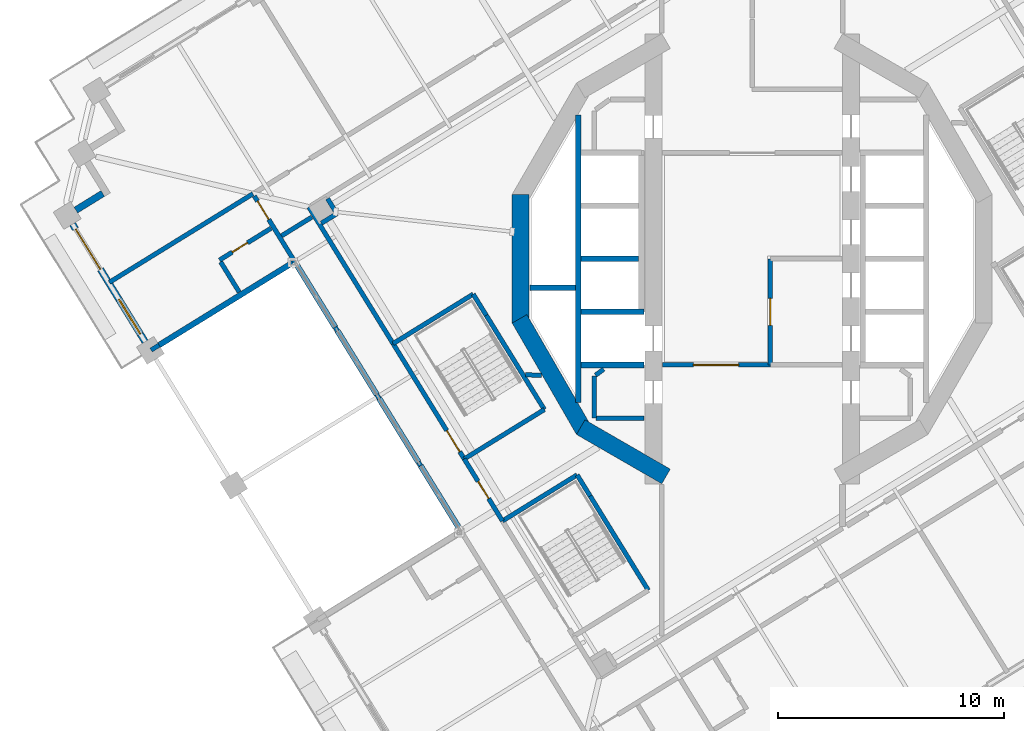
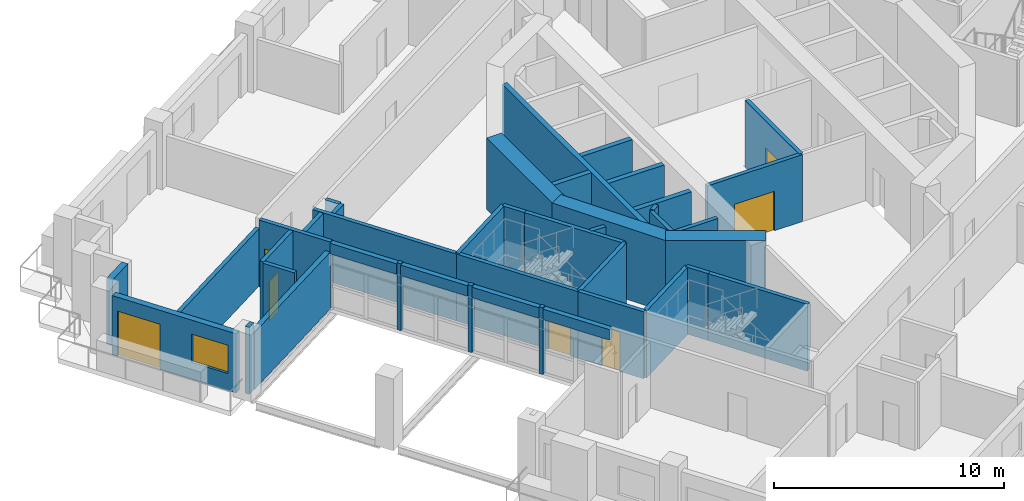
# One storey, part 6 of 20: 42 walls, 7 doors, 1 window, 8 openings.
"""IFC4 building model written with IfcOpenShell, lengths in metres."""

from ifc_helpers import new_model, si_unit, direction, frame, frame_2d, origin, place, context, subcontext, project, spatial, rectangle, extrude, material, layer, layer_set, type_object, element, fill, save


model = new_model("IFC4")

# Units and contexts
model_context = context("Model", 3, precision=1e-05, world=origin(), true_north=direction((0.0, 1.0)))
body_context = subcontext(model_context, "Body", "Model", "MODEL_VIEW")
ifc_project = project(units=[si_unit("LENGTHUNIT", "METRE"), si_unit("AREAUNIT", "SQUARE_METRE"), si_unit("VOLUMEUNIT", "CUBIC_METRE"), si_unit("PLANEANGLEUNIT", "RADIAN"), si_unit("MASSUNIT", "GRAM", prefix="KILO")], contexts=[model_context])

# Site, building, storey
site_placement = place(None, origin())
site = spatial("IfcSite", under=ifc_project, at=site_placement, CompositionType="ELEMENT")
building_placement = place(site_placement, origin())
building = spatial("IfcBuilding", under=site, at=building_placement, Name="Cantera Rosa Tower", CompositionType="ELEMENT")
storey_placement = place(building_placement, frame((0.0, 0.0, 155.199951171875)))
storey = spatial("IfcBuildingStorey", under=building, at=storey_placement, Name="L33", CompositionType="ELEMENT", Elevation=155.199951171875)

# Wall, opening, door
ifc_material_1 = material(Name="Gypsum board partition")
ifc_layer_1 = layer(ifc_material_1, 0.199951171875)
ifc_layer_set_1 = layer_set([ifc_layer_1], Name="CORRIDOR WALL 200 H3550")
wall_type_1 = type_object("IfcWallType", Name="CORRIDOR WALL 200 H3550", PredefinedType="PARTITIONING", material=ifc_layer_set_1)
wall_1_placement = place(storey_placement, frame((-22.037109375, 2.77392578125, 0.0), z_axis=(0.0, 0.0, 1.0), x_axis=(0.524928009261, -0.851146629608, 0.0)))
wall_1 = element("IfcWall", 1, at=wall_1_placement, inside=storey, type_object=wall_type_1, Name="CORRIDOR WALL L33-004", PredefinedType="PARTITIONING", context=body_context, shape_type="SweptSolid", body=[
    extrude(rectangle(XDim=3.52490234375, YDim=0.199951171875, at=frame_2d((1.762451171875, 0.0))), origin(), (0.0, 0.0, 1.0), 3.550048828125),
])
opening_1_placement = place(wall_1_placement, frame((0.264892578125, 0.0, 0.0)))
opening_1 = element("IfcOpeningElement", 2, at=opening_1_placement, cuts=wall_1, Name="Opening L33-030", PredefinedType="OPENING", context=body_context, shape_type="SweptSolid", body=[
    extrude(rectangle(XDim=0.949951171875, YDim=2.10009765625, at=frame_2d((0.47509765625, 1.050048828125))), frame((0.0, 0.10986328125, 0.0), z_axis=(0.0, -1.0, 0.0), x_axis=(1.0, 0.0, 0.0)), (0.0, 0.0, 1.0), 0.219970703125),
])
ifc_material_2 = material(Name="Timber door leaf", Category="wood")
door_type_1 = type_object("IfcDoorType", Name="ROOM DOOR 950x2100", OperationType="NOTDEFINED", PredefinedType="DOOR", material=ifc_material_2)
door_1_placement = place(opening_1_placement, origin())
door_1 = element("IfcDoor", 3, at=door_1_placement, inside=storey, type_object=door_type_1, Name="DOOR L33-030", OperationType="NOTDEFINED", OverallHeight=2.10009765625, OverallWidth=0.949951171875, PredefinedType="DOOR", context=body_context, shape_type="SweptSolid", body=[
    extrude(rectangle(XDim=0.949951171875, YDim=2.10009765625, at=frame_2d((0.47509765625, 1.050048828125))), frame((0.0, 0.02490234375, 0.0), z_axis=(0.0, -1.0, 0.0), x_axis=(1.0, 0.0, 0.0)), (0.0, 0.0, 1.0), 0.050048828125),
])
fill(opening_1, door_1)

# Walls
wall_2_placement = place(storey_placement, frame((-18.460693359375, -3.024658203125, 0.0), z_axis=(0.0, 0.0, 1.0), x_axis=(0.525921400604, -0.850533174183, 0.0)))
element("IfcWall", 4, at=wall_2_placement, inside=storey, type_object=wall_type_1, Name="CORRIDOR WALL L33-005", PredefinedType="PARTITIONING", context=body_context, shape_type="SweptSolid", body=[
    extrude(rectangle(XDim=0.194091796875, YDim=0.199951171875, at=frame_2d((0.09716796875, 0.0))), origin(), (0.0, 0.0, 1.0), 3.550048828125),
])
wall_3_placement = place(storey_placement, frame((-16.62109375, -6.007080078125, 0.0), z_axis=(0.0, 0.0, 1.0), x_axis=(0.525089061607, -0.851047282694, 0.0)))
element("IfcWall", 5, at=wall_3_placement, inside=storey, type_object=wall_type_1, Name="CORRIDOR WALL L33-006", PredefinedType="PARTITIONING", context=body_context, shape_type="SweptSolid", body=[
    extrude(rectangle(XDim=0.2060546875, YDim=0.199951171875, at=frame_2d((0.10302734375, 0.0))), origin(), (0.0, 0.0, 1.0), 3.550048828125),
])
wall_4_placement = place(storey_placement, frame((-14.775146484375, -8.99951171875, 0.0), z_axis=(0.0, 0.0, 1.0), x_axis=(0.524448233232, -0.851442335487, 0.0)))
element("IfcWall", 6, at=wall_4_placement, inside=storey, type_object=wall_type_1, Name="CORRIDOR WALL L33-007", PredefinedType="PARTITIONING", context=body_context, shape_type="SweptSolid", body=[
    extrude(rectangle(XDim=0.194091796875, YDim=0.199951171875, at=frame_2d((0.09716796875, 0.0))), origin(), (0.0, 0.0, 1.0), 3.550048828125),
])
wall_5_placement = place(storey_placement, frame((-20.8349609375, 1.015380859375, 0.0), z_axis=(0.0, 0.0, 1.0), x_axis=(0.851143253059, 0.52493348414, 0.0)))
element("IfcWall", 7, at=wall_5_placement, inside=storey, type_object=wall_type_1, Name="CORRIDOR WALL L33-009", PredefinedType="PARTITIONING", context=body_context, shape_type="SweptSolid", body=[
    extrude(rectangle(XDim=1.579833984375, YDim=0.199951171875, at=frame_2d((0.7900390625, 0.0))), origin(), (0.0, 0.0, 1.0), 3.550048828125),
])
wall_6_placement = place(storey_placement, frame((-19.623291015625, 2.2890625, 0.0), z_axis=(0.0, 0.0, 1.0), x_axis=(0.524973806956, -0.851118383076, 0.0)))
element("IfcWall", 8, at=wall_6_placement, inside=storey, type_object=wall_type_1, Name="CORRIDOR WALL L33-011", PredefinedType="PARTITIONING", context=body_context, shape_type="SweptSolid", body=[
    extrude(rectangle(XDim=7.100830078125, YDim=0.199951171875, at=frame_2d((3.55029296875, 0.0))), origin(), (0.0, 0.0, 1.0), 3.550048828125),
])

# Wall, opening, door
wall_7_placement = place(storey_placement, frame((-12.74560546875, -8.861328125, 0.0), z_axis=(0.0, 0.0, 1.0), x_axis=(0.524959112102, -0.851127446756, 0.0)))
wall_7 = element("IfcWall", 9, at=wall_7_placement, inside=storey, type_object=wall_type_1, Name="CORRIDOR WALL L33-019", PredefinedType="PARTITIONING", context=body_context, shape_type="SweptSolid", body=[
    extrude(rectangle(XDim=3.223876953125, YDim=0.199951171875, at=frame_2d((1.61181640625, 0.0))), origin(), (0.0, 0.0, 1.0), 3.550048828125),
])
opening_2_placement = place(wall_7_placement, frame((1.161865234375, 0.0, 0.0)))
opening_2 = element("IfcOpeningElement", 10, at=opening_2_placement, cuts=wall_7, Name="Opening L33-007", PredefinedType="OPENING", context=body_context, shape_type="SweptSolid", body=[
    extrude(rectangle(XDim=0.89990234375, YDim=2.10009765625, at=frame_2d((0.449951171875, 1.050048828125))), frame((0.0, 0.10986328125, 0.0), z_axis=(0.0, -1.0, 0.0), x_axis=(1.0, 0.0, 0.0)), (0.0, 0.0, 1.0), 0.219970703125),
])
ifc_material_3 = material(Name="Timber door leaf", Category="wood")
door_type_2 = type_object("IfcDoorType", Name="SERVICE DOOR 900x2100", OperationType="NOTDEFINED", PredefinedType="DOOR", material=ifc_material_3)
door_2_placement = place(opening_2_placement, origin())
door_2 = element("IfcDoor", 11, at=door_2_placement, inside=storey, type_object=door_type_2, Name="DOOR L33-007", OperationType="NOTDEFINED", OverallHeight=2.10009765625, OverallWidth=0.89990234375, PredefinedType="DOOR", context=body_context, shape_type="SweptSolid", body=[
    extrude(rectangle(XDim=0.89990234375, YDim=2.10009765625, at=frame_2d((0.449951171875, 1.050048828125))), frame((0.0, 0.02490234375, 0.0), z_axis=(0.0, -1.0, 0.0), x_axis=(1.0, 0.0, 0.0)), (0.0, 0.0, 1.0), 0.050048828125),
])
fill(opening_2, door_2)

wall_8_placement = place(storey_placement, frame((0.800048828125, -4.699951171875, 0.0), z_axis=(0.0, 0.0, 1.0), x_axis=(-1.0, 0.0, 0.0)))
wall_8 = element("IfcWall", 12, at=wall_8_placement, inside=storey, type_object=wall_type_1, Name="CORRIDOR WALL L33-064", PredefinedType="PARTITIONING", context=body_context, shape_type="SweptSolid", body=[
    extrude(rectangle(XDim=4.77001953125, YDim=0.199951171875, at=frame_2d((2.385009765625, 0.0))), origin(), (0.0, 0.0, 1.0), 3.550048828125),
])
opening_3_placement = place(wall_8_placement, frame((1.39990234375, 0.0, 0.0)))
opening_3 = element("IfcOpeningElement", 13, at=opening_3_placement, cuts=wall_8, Name="Opening L33-012", PredefinedType="OPENING", context=body_context, shape_type="SweptSolid", body=[
    extrude(rectangle(XDim=2.0, YDim=2.10009765625, at=frame_2d((1.0, 1.050048828125))), frame((0.0, 0.10986328125, 0.0), z_axis=(0.0, -1.0, 0.0), x_axis=(1.0, 0.0, 0.0)), (0.0, 0.0, 1.0), 0.219970703125),
])
ifc_material_4 = material(Name="Steel S355J2 (EN 10025-2)", Category="steel")
door_type_3 = type_object("IfcDoorType", Name="LOBBY SCREEN DOOR 2000x2100", OperationType="NOTDEFINED", PredefinedType="DOOR", material=ifc_material_4)
door_3_placement = place(opening_3_placement, origin())
door_3 = element("IfcDoor", 14, at=door_3_placement, inside=storey, type_object=door_type_3, Name="DOOR L33-012", OperationType="NOTDEFINED", OverallHeight=2.10009765625, OverallWidth=2.0, PredefinedType="DOOR", context=body_context, shape_type="SweptSolid", body=[
    extrude(rectangle(XDim=2.0, YDim=2.10009765625, at=frame_2d((1.0, 1.050048828125))), frame((0.0, 0.02490234375, 0.0), z_axis=(0.0, -1.0, 0.0), x_axis=(1.0, 0.0, 0.0)), (0.0, 0.0, 1.0), 0.050048828125),
])
fill(opening_3, door_3)

# Wall
ifc_material_5 = material(Name="Hollow clay masonry with cantera stone cladding", Category="masonry")
ifc_layer_2 = layer(ifc_material_5, 0.300048828125)
ifc_layer_set_2 = layer_set([ifc_layer_2], Name="EW-LOGGIA 300")
wall_type_2 = type_object("IfcWallType", Name="EW-LOGGIA 300", PredefinedType="SOLIDWALL", material=ifc_layer_set_2)
wall_9_placement = place(storey_placement, frame((-28.74658203125, 2.888916015625, 0.0), z_axis=(0.0, 0.0, 1.0), x_axis=(-0.851040987269, -0.525099264891, 0.0)))
element("IfcWall", 15, at=wall_9_placement, inside=storey, type_object=wall_type_2, Name="EN-L33-W14b", PredefinedType="SOLIDWALL", context=body_context, shape_type="SweptSolid", body=[
    extrude(rectangle(XDim=1.39990234375, YDim=0.300048828125, at=frame_2d((0.699951171875, 0.0))), origin(), (0.0, 0.0, 1.0), 3.5),
])

# Wall, openings, window, door
ifc_material_6 = material(Name="Hollow clay masonry with cantera stone cladding", Category="masonry")
ifc_layer_3 = layer(ifc_material_6, 0.300048828125)
ifc_layer_set_3 = layer_set([ifc_layer_3], Name="EW-LOGGIA 300 H3140")
wall_type_3 = type_object("IfcWallType", Name="EW-LOGGIA 300 H3140", PredefinedType="SOLIDWALL", material=ifc_layer_set_3)
wall_10_placement = place(storey_placement, frame((-30.084716796875, 1.53466796875, 0.0), z_axis=(0.0, 0.0, 1.0), x_axis=(0.524987447654, -0.851109969279, 0.0)))
wall_10 = element("IfcWall", 16, at=wall_10_placement, inside=storey, type_object=wall_type_3, Name="EN-L33-W15", PredefinedType="SOLIDWALL", context=body_context, shape_type="SweptSolid", body=[
    extrude(rectangle(XDim=6.119873046875, YDim=0.300048828125, at=frame_2d((3.06005859375, 0.0))), origin(), (0.0, 0.0, 1.0), 3.14013671875),
])
opening_4_placement = place(wall_10_placement, frame((0.2548828125, 0.0, 0.0)))
opening_4 = element("IfcOpeningElement", 17, at=opening_4_placement, cuts=wall_10, Name="Opening L33-TD21", PredefinedType="OPENING", context=body_context, shape_type="SweptSolid", body=[
    extrude(rectangle(XDim=2.10009765625, YDim=2.39990234375, at=frame_2d((1.050048828125, 1.199951171875))), frame((0.0, 0.159912109375, 0.0), z_axis=(0.0, -1.0, 0.0), x_axis=(1.0, 0.0, 0.0)), (0.0, 0.0, 1.0), 0.320068359375),
])
opening_5_placement = place(wall_10_placement, frame((3.9150390625, 0.0, 0.89990234375)))
opening_5 = element("IfcOpeningElement", 18, at=opening_5_placement, cuts=wall_10, Name="Opening L33-W22", PredefinedType="OPENING", context=body_context, shape_type="SweptSolid", body=[
    extrude(rectangle(XDim=1.800048828125, YDim=1.5, at=frame_2d((0.89990234375, 0.75))), frame((0.0, 0.159912109375, 0.0), z_axis=(0.0, -1.0, 0.0), x_axis=(1.0, 0.0, 0.0)), (0.0, 0.0, 1.0), 0.320068359375),
])
ifc_material_7 = material(Name="Aluminium frame with clear glass", Category="aluminium")
window_type = type_object("IfcWindowType", Name="Hotel room window 1800x1500", PartitioningType="DOUBLE_PANEL_VERTICAL", PredefinedType="WINDOW", material=ifc_material_7)
window_placement = place(opening_5_placement, origin())
window = element("IfcWindow", 19, at=window_placement, inside=storey, type_object=window_type, Name="WINDOW L33-W22", OverallHeight=1.5, OverallWidth=1.800048828125, PartitioningType="SINGLE_PANEL", PredefinedType="WINDOW", context=body_context, shape_type="SweptSolid", body=[
    extrude(rectangle(XDim=1.800048828125, YDim=1.5, at=frame_2d((0.89990234375, 0.75))), frame((0.0, 0.030029296875, 0.0), z_axis=(0.0, -1.0, 0.0), x_axis=(1.0, 0.0, 0.0)), (0.0, 0.0, 1.0), 0.06005859375),
])
fill(opening_5, window)
ifc_material_8 = material(Name="Aluminium frame with clear glass", Category="aluminium")
door_type_4 = type_object("IfcDoorType", Name="TD-H 2100x2400", OperationType="NOTDEFINED", PredefinedType="DOOR", material=ifc_material_8)
door_4_placement = place(opening_4_placement, origin())
door_4 = element("IfcDoor", 20, at=door_4_placement, inside=storey, type_object=door_type_4, Name="LOGGIA DOOR L33-TD21", OperationType="SLIDING_TO_LEFT", OverallHeight=2.39990234375, OverallWidth=2.10009765625, PredefinedType="DOOR", context=body_context, shape_type="SweptSolid", body=[
    extrude(rectangle(XDim=2.10009765625, YDim=2.39990234375, at=frame_2d((1.050048828125, 1.199951171875))), frame((0.0, 0.02490234375, 0.0), z_axis=(0.0, -1.0, 0.0), x_axis=(1.0, 0.0, 0.0)), (0.0, 0.0, 1.0), 0.050048828125),
])
fill(opening_4, door_4)

# Walls
ifc_material_9 = material(Name="Concrete C40/50", Category="concrete")
ifc_layer_4 = layer(ifc_material_9, 0.25)
ifc_layer_set_4 = layer_set([ifc_layer_4], Name="EW-POCKET CHEEK 250 H3020")
wall_type_4 = type_object("IfcWallType", Name="EW-POCKET CHEEK 250 H3020", PredefinedType="SOLIDWALL", material=ifc_layer_set_4)
wall_11_placement = place(storey_placement, frame((-26.252685546875, -3.82080078125, 0.0), z_axis=(0.0, 0.0, 1.0), x_axis=(0.851127184208, 0.524959537777, 0.0)))
element("IfcWall", 21, at=wall_11_placement, inside=storey, type_object=wall_type_4, Name="POCKET CHEEK A L33", PredefinedType="SOLIDWALL", context=body_context, shape_type="SweptSolid", body=[
    extrude(rectangle(XDim=6.949951171875, YDim=0.25, at=frame_2d((3.47509765625, 0.0))), origin(), (0.0, 0.0, 1.0), 3.02001953125),
])
ifc_material_10 = material(Name="Hollow clay masonry with cantera stone cladding", Category="masonry")
ifc_layer_5 = layer(ifc_material_10, 0.25)
ifc_layer_set_5 = layer_set([ifc_layer_5], Name="EW-POCKET REAR 250")
wall_type_5 = type_object("IfcWallType", Name="EW-POCKET REAR 250", PredefinedType="SOLIDWALL", material=ifc_layer_set_5)
wall_12_placement = place(storey_placement, frame((-20.186767578125, -0.226318359375, 2.942138671875), z_axis=(0.0, 0.0, 1.0), x_axis=(0.524983741504, -0.85111225532, 0.0)))
element("IfcWall", 22, at=wall_12_placement, inside=storey, type_object=wall_type_5, Name="POCKET SPANDREL L33-1", PredefinedType="SOLIDWALL", context=body_context, shape_type="SweptSolid", body=[
    extrude(rectangle(XDim=3.287841796875, YDim=0.25, at=frame_2d((1.64404296875, 0.0))), origin(), (0.0, 0.0, 1.0), 0.557861328125),
])
for number, where, z_axis, x_axis, name in (
    (23, (-18.358642578125, -3.189697265625, 2.942138671875), (0.0, 0.0, 1.0), (0.524924326479, -0.851148900881, 0.0), "POCKET SPANDREL L33-2"),
    (24, (-16.512939453125, -6.182373046875, 2.942138671875), (0.0, 0.0, 1.0), (0.525010712541, -0.851095618434, 0.0), "POCKET SPANDREL L33-3"),
):
    element("IfcWall", number, at=place(storey_placement, frame(where, z_axis=z_axis, x_axis=x_axis)), inside=storey, type_object=wall_type_5, Name=name, PredefinedType="SOLIDWALL", context=body_context, shape_type="SweptSolid", body=[
        extrude(rectangle(XDim=3.31005859375, YDim=0.25, at=frame_2d((1.655029296875, 0.0))), origin(), (0.0, 0.0, 1.0), 0.557861328125),
    ])
wall_13_placement = place(storey_placement, frame((-14.67333984375, -9.16455078125, 2.942138671875), z_axis=(0.0, 0.0, 1.0), x_axis=(0.524950564519, -0.851132718682, 0.0)))
element("IfcWall", 25, at=wall_13_placement, inside=storey, type_object=wall_type_5, Name="POCKET SPANDREL L33-4", PredefinedType="SOLIDWALL", context=body_context, shape_type="SweptSolid", body=[
    extrude(rectangle(XDim=3.2880859375, YDim=0.25, at=frame_2d((1.64404296875, 0.0))), origin(), (0.0, 0.0, 1.0), 0.557861328125),
])

# Wall, opening, door
ifc_material_11 = material(Name="Gypsum board partition")
ifc_layer_6 = layer(ifc_material_11, 0.199951171875)
ifc_layer_set_6 = layer_set([ifc_layer_6], Name="PARTITION 200 H3550")
wall_type_6 = type_object("IfcWallType", Name="PARTITION 200 H3550", PredefinedType="PARTITIONING", material=ifc_layer_set_6)
wall_14_placement = place(storey_placement, frame((-23.580322265625, -0.057861328125, 0.0), z_axis=(0.0, 0.0, 1.0), x_axis=(0.851110493934, 0.524986597082, 0.0)))
wall_14 = element("IfcWall", 26, at=wall_14_placement, inside=storey, type_object=wall_type_6, Name="PARTITION L33-001", PredefinedType="PARTITIONING", context=body_context, shape_type="SweptSolid", body=[
    extrude(rectangle(XDim=2.679931640625, YDim=0.199951171875, at=frame_2d((1.33984375, 0.0))), origin(), (0.0, 0.0, 1.0), 3.550048828125),
])
opening_6_placement = place(wall_14_placement, frame((0.6640625, 0.0, 0.0)))
opening_6 = element("IfcOpeningElement", 27, at=opening_6_placement, cuts=wall_14, Name="Opening L33-031", PredefinedType="OPENING", context=body_context, shape_type="SweptSolid", body=[
    extrude(rectangle(XDim=0.800048828125, YDim=2.10009765625, at=frame_2d((0.39990234375, 1.050048828125))), frame((0.0, 0.10986328125, 0.0), z_axis=(0.0, -1.0, 0.0), x_axis=(1.0, 0.0, 0.0)), (0.0, 0.0, 1.0), 0.219970703125),
])
ifc_material_12 = material(Name="Timber door leaf", Category="wood")
door_type_5 = type_object("IfcDoorType", Name="BATHROOM DOOR 800x2100", OperationType="NOTDEFINED", PredefinedType="DOOR", material=ifc_material_12)
door_5_placement = place(opening_6_placement, origin())
door_5 = element("IfcDoor", 28, at=door_5_placement, inside=storey, type_object=door_type_5, Name="DOOR L33-031", OperationType="NOTDEFINED", OverallHeight=2.10009765625, OverallWidth=0.800048828125, PredefinedType="DOOR", context=body_context, shape_type="SweptSolid", body=[
    extrude(rectangle(XDim=0.800048828125, YDim=2.10009765625, at=frame_2d((0.39990234375, 1.050048828125))), frame((0.0, 0.02490234375, 0.0), z_axis=(0.0, -1.0, 0.0), x_axis=(1.0, 0.0, 0.0)), (0.0, 0.0, 1.0), 0.050048828125),
])
fill(opening_6, door_5)

# Walls
wall_15_placement = place(storey_placement, frame((-22.706298828125, -1.474853515625, 0.0), z_axis=(0.0, 0.0, 1.0), x_axis=(-0.524941445141, 0.851138343146, 0.0)))
element("IfcWall", 29, at=wall_15_placement, inside=storey, type_object=wall_type_6, Name="PARTITION L33-002", PredefinedType="PARTITIONING", context=body_context, shape_type="SweptSolid", body=[
    extrude(rectangle(XDim=1.56494140625, YDim=0.199951171875, at=frame_2d((0.782470703125, 0.0))), origin(), (0.0, 0.0, 1.0), 3.550048828125),
])
wall_16_placement = place(storey_placement, frame((-26.252685546875, -3.82080078125, 0.0), z_axis=(0.0, 0.0, 1.0), x_axis=(-0.85085913097, -0.525393889615, 0.0)))
element("IfcWall", 30, at=wall_16_placement, inside=storey, type_object=wall_type_6, Name="PARTITION L33-010", PredefinedType="PARTITIONING", context=body_context, shape_type="SweptSolid", body=[
    extrude(rectangle(XDim=0.420166015625, YDim=0.199951171875, at=frame_2d((0.2099609375, 0.0))), origin(), (0.0, 0.0, 1.0), 3.550048828125),
])
wall_17_placement = place(storey_placement, frame((-19.065673828125, 1.575439453125, 0.0), z_axis=(0.0, 0.0, 1.0), x_axis=(0.85101860469, 0.525135539144, 0.0)))
element("IfcWall", 31, at=wall_17_placement, inside=storey, type_object=wall_type_6, Name="PARTITION L33-013", PredefinedType="PARTITIONING", context=body_context, shape_type="SweptSolid", body=[
    extrude(rectangle(XDim=0.800048828125, YDim=0.199951171875, at=frame_2d((0.39990234375, 0.0))), origin(), (0.0, 0.0, 1.0), 3.550048828125),
])
wall_18_placement = place(storey_placement, frame((-18.437255859375, 2.08056640625, 0.0), z_axis=(0.0, 0.0, 1.0), x_axis=(-0.524858358509, 0.851189581412, 0.0)))
element("IfcWall", 32, at=wall_18_placement, inside=storey, type_object=wall_type_6, Name="PARTITION L33-014", PredefinedType="PARTITIONING", context=body_context, shape_type="SweptSolid", body=[
    extrude(rectangle(XDim=0.68017578125, YDim=0.199951171875, at=frame_2d((0.340087890625, 0.0))), origin(), (0.0, 0.0, 1.0), 3.550048828125),
])
wall_19_placement = place(storey_placement, frame((-9.32275390625, -5.162841796875, 0.0), z_axis=(0.0, 0.0, 1.0), x_axis=(-0.999176042659, 0.040586152507, 0.0)))
element("IfcWall", 33, at=wall_19_placement, inside=storey, type_object=wall_type_6, Name="PARTITION L33-026", PredefinedType="PARTITIONING", context=body_context, shape_type="SweptSolid", body=[
    extrude(rectangle(XDim=0.709716796875, YDim=0.199951171875, at=frame_2d((0.35498046875, 0.0))), origin(), (0.0, 0.0, 1.0), 3.550048828125),
])
wall_20_placement = place(storey_placement, frame((-7.0, -7.050048828125, 0.0), z_axis=(0.0, 0.0, 1.0), x_axis=(0.0, 1.0, 0.0)))
element("IfcWall", 34, at=wall_20_placement, inside=storey, type_object=wall_type_6, Name="PARTITION L33-037", PredefinedType="PARTITIONING", context=body_context, shape_type="SweptSolid", body=[
    extrude(rectangle(XDim=1.85009765625, YDim=0.199951171875, at=frame_2d((0.925048828125, 0.0))), origin(), (0.0, 0.0, 1.0), 3.550048828125),
])
wall_21_placement = place(storey_placement, frame((-6.935302734375, -5.15283203125, 0.0), z_axis=(0.0, 0.0, 1.0), x_axis=(0.808147744029, 0.58897981614, 0.0)))
element("IfcWall", 35, at=wall_21_placement, inside=storey, type_object=wall_type_6, Name="PARTITION L33-038", PredefinedType="PARTITIONING", context=body_context, shape_type="SweptSolid", body=[
    extrude(rectangle(XDim=0.448974609375, YDim=0.199951171875, at=frame_2d((0.224609375, 0.0))), origin(), (0.0, 0.0, 1.0), 3.550048828125),
])
wall_22_placement = place(storey_placement, frame((-4.780029296875, -7.050048828125, 0.0), z_axis=(0.0, 0.0, 1.0), x_axis=(-1.0, 0.0, 0.0)))
element("IfcWall", 36, at=wall_22_placement, inside=storey, type_object=wall_type_6, Name="PARTITION L33-048", PredefinedType="PARTITIONING", context=body_context, shape_type="SweptSolid", body=[
    extrude(rectangle(XDim=2.139892578125, YDim=0.199951171875, at=frame_2d((1.06982421875, 0.0))), origin(), (0.0, 0.0, 1.0), 3.550048828125),
])
ifc_material_13 = material(Name="Gypsum board partition")
ifc_layer_7 = layer(ifc_material_13, 0.199951171875)
ifc_layer_set_7 = layer_set([ifc_layer_7], Name="PARTY WALL 200 H3050")
wall_type_7 = type_object("IfcWallType", Name="PARTY WALL 200 H3050", PredefinedType="PARTITIONING", material=ifc_layer_set_7)
wall_23_placement = place(storey_placement, frame((-22.10009765625, 2.876220703125, 0.0), z_axis=(0.0, 0.0, 1.0), x_axis=(-0.85111586596, -0.524977887831, 0.0)))
element("IfcWall", 37, at=wall_23_placement, inside=storey, type_object=wall_type_7, Name="PARTY WALL L33-003", PredefinedType="PARTITIONING", context=body_context, shape_type="SweptSolid", body=[
    extrude(rectangle(XDim=7.469970703125, YDim=0.199951171875, at=frame_2d((3.73486328125, 0.0))), origin(), (0.0, 0.0, 1.0), 3.050048828125),
])
ifc_material_14 = material(Name="Concrete C60/75", Category="concrete")
ifc_layer_8 = layer(ifc_material_14, 0.75)
ifc_layer_set_8 = layer_set([ifc_layer_8], Name="RC CORE WALL 750 C60/75")
wall_type_8 = type_object("IfcWallType", Name="RC CORE WALL 750 C60/75", PredefinedType="SHEAR", material=ifc_layer_set_8)
wall_24_placement = place(storey_placement, frame((-3.8125, -9.634765625, 0.0), z_axis=(0.0, 0.0, 1.0), x_axis=(-0.866013176292, 0.50002117804, 0.0)))
element("IfcWall", 38, at=wall_24_placement, inside=storey, type_object=wall_type_8, Name="CW-W1 L33", PredefinedType="SHEAR", context=body_context, shape_type="SweptSolid", body=[
    extrude(rectangle(XDim=4.362548828125, YDim=0.75, at=frame_2d((2.18115234375, 0.0))), origin(), (0.0, 0.0, 1.0), 3.800048828125),
])
wall_25_placement = place(storey_placement, frame((-7.453369140625, -7.590576171875, 0.0), z_axis=(0.0, 0.0, 1.0), x_axis=(-0.500021842983, 0.866012792365, 0.0)))
element("IfcWall", 39, at=wall_25_placement, inside=storey, type_object=wall_type_8, Name="CW-W2 L33", PredefinedType="SHEAR", context=body_context, shape_type="SweptSolid", body=[
    extrude(rectangle(XDim=5.694091796875, YDim=0.75, at=frame_2d((2.84716796875, 0.0))), origin(), (0.0, 0.0, 1.0), 3.800048828125),
])
wall_26_placement = place(storey_placement, frame((-10.250244140625, -2.846923828125, 0.0), z_axis=(0.0, 0.0, 1.0), x_axis=(0.0, 1.0, 0.0)))
element("IfcWall", 40, at=wall_26_placement, inside=storey, type_object=wall_type_8, Name="CW-W3 L33", PredefinedType="SHEAR", context=body_context, shape_type="SweptSolid", body=[
    extrude(rectangle(XDim=5.69384765625, YDim=0.75, at=frame_2d((2.846923828125, 0.0))), origin(), (0.0, 0.0, 1.0), 3.800048828125),
])
ifc_material_15 = material(Name="Masonry blockwork", Category="masonry")
ifc_layer_9 = layer(ifc_material_15, 0.25)
ifc_layer_set_9 = layer_set([ifc_layer_9], Name="SHAFT WALL 250 H3550")
wall_type_9 = type_object("IfcWallType", Name="SHAFT WALL 250 H3550", PredefinedType="SOLIDWALL", material=ifc_layer_set_9)
wall_27_placement = place(storey_placement, frame((-9.84521484375, -1.28271484375, 0.0), z_axis=(0.0, 0.0, 1.0), x_axis=(1.0, 0.0, 0.0)))
element("IfcWall", 41, at=wall_27_placement, inside=storey, type_object=wall_type_9, Name="SHAFT WALL L33-025", PredefinedType="SOLIDWALL", context=body_context, shape_type="SweptSolid", body=[
    extrude(rectangle(XDim=2.020263671875, YDim=0.25, at=frame_2d((1.01025390625, 0.0))), origin(), (0.0, 0.0, 1.0), 3.550048828125),
])
wall_28_placement = place(storey_placement, frame((-7.574951171875, -2.35009765625, 0.0), z_axis=(0.0, 0.0, 1.0), x_axis=(1.0, 0.0, 0.0)))
element("IfcWall", 42, at=wall_28_placement, inside=storey, type_object=wall_type_9, Name="SHAFT WALL L33-031", PredefinedType="SOLIDWALL", context=body_context, shape_type="SweptSolid", body=[
    extrude(rectangle(XDim=2.794921875, YDim=0.25, at=frame_2d((1.3974609375, 0.0))), origin(), (0.0, 0.0, 1.0), 3.550048828125),
])
wall_29_placement = place(storey_placement, frame((-7.574951171875, 0.0, 0.0), z_axis=(0.0, 0.0, 1.0), x_axis=(1.0, 0.0, 0.0)))
element("IfcWall", 43, at=wall_29_placement, inside=storey, type_object=wall_type_9, Name="SHAFT WALL L33-032", PredefinedType="SOLIDWALL", context=body_context, shape_type="SweptSolid", body=[
    extrude(rectangle(XDim=2.550048828125, YDim=0.25, at=frame_2d((1.27490234375, 0.0))), origin(), (0.0, 0.0, 1.0), 3.550048828125),
])
wall_30_placement = place(storey_placement, frame((-7.699951171875, 6.353515625, 0.0), z_axis=(0.0, 0.0, 1.0), x_axis=(0.0, -1.0, 0.0)))
element("IfcWall", 44, at=wall_30_placement, inside=storey, type_object=wall_type_9, Name="SHAFT WALL L33-035", PredefinedType="SOLIDWALL", context=body_context, shape_type="SweptSolid", body=[
    extrude(rectangle(XDim=12.70703125, YDim=0.25, at=frame_2d((6.353515625, 0.0))), origin(), (0.0, 0.0, 1.0), 3.550048828125),
])
wall_31_placement = place(storey_placement, frame((-4.780029296875, -4.699951171875, 0.0), z_axis=(0.0, 0.0, 1.0), x_axis=(-1.0, 0.0, 0.0)))
element("IfcWall", 45, at=wall_31_placement, inside=storey, type_object=wall_type_9, Name="SHAFT WALL L33-049", PredefinedType="SOLIDWALL", context=body_context, shape_type="SweptSolid", body=[
    extrude(rectangle(XDim=2.794921875, YDim=0.25, at=frame_2d((1.3974609375, 0.0))), origin(), (0.0, 0.0, 1.0), 3.550048828125),
])

# Wall, opening, door
ifc_material_16 = material(Name="Concrete C50/60", Category="concrete")
ifc_layer_10 = layer(ifc_material_16, 0.199951171875)
ifc_layer_set_10 = layer_set([ifc_layer_10], Name="STAIR WALL 200 H3550")
wall_type_10 = type_object("IfcWallType", Name="STAIR WALL 200 H3550", PredefinedType="SOLIDWALL", material=ifc_layer_set_10)
wall_32_placement = place(storey_placement, frame((-15.8955078125, -3.754638671875, 0.0), z_axis=(0.0, 0.0, 1.0), x_axis=(0.524982543144, -0.851112994493, 0.0)))
wall_32 = element("IfcWall", 46, at=wall_32_placement, inside=storey, type_object=wall_type_10, Name="STAIR WALL L33-016", PredefinedType="SOLIDWALL", context=body_context, shape_type="SweptSolid", body=[
    extrude(rectangle(XDim=6.0, YDim=0.199951171875, at=frame_2d((3.0, 0.0))), origin(), (0.0, 0.0, 1.0), 3.550048828125),
])
opening_7_placement = place(wall_32_placement, frame((4.52490234375, 0.0, 0.0)))
opening_7 = element("IfcOpeningElement", 47, at=opening_7_placement, cuts=wall_32, Name="Opening L33-002", PredefinedType="OPENING", context=body_context, shape_type="SweptSolid", body=[
    extrude(rectangle(XDim=1.10009765625, YDim=2.10009765625, at=frame_2d((0.550048828125, 1.050048828125))), frame((0.0, 0.10986328125, 0.0), z_axis=(0.0, -1.0, 0.0), x_axis=(1.0, 0.0, 0.0)), (0.0, 0.0, 1.0), 0.219970703125),
])
ifc_material_17 = material(Name="Steel S355J2 (EN 10025-2)", Category="steel")
door_type_6 = type_object("IfcDoorType", Name="STAIR DOOR 1100x2100", OperationType="NOTDEFINED", PredefinedType="DOOR", material=ifc_material_17)
door_6_placement = place(opening_7_placement, origin())
door_6 = element("IfcDoor", 48, at=door_6_placement, inside=storey, type_object=door_type_6, Name="DOOR L33-002", OperationType="NOTDEFINED", OverallHeight=2.10009765625, OverallWidth=1.10009765625, PredefinedType="DOOR", context=body_context, shape_type="SweptSolid", body=[
    extrude(rectangle(XDim=1.10009765625, YDim=2.10009765625, at=frame_2d((0.550048828125, 1.050048828125))), frame((0.0, 0.02490234375, 0.0), z_axis=(0.0, -1.0, 0.0), x_axis=(1.0, 0.0, 0.0)), (0.0, 0.0, 1.0), 0.050048828125),
])
fill(opening_7, door_6)

# Walls
for number, where, z_axis, x_axis, name in (
    (49, (-12.74560546875, -8.861328125, 0.0), (0.0, 0.0, 1.0), (0.851120688733, 0.524970068871, 0.0), "STAIR WALL L33-020"),
    (50, (-12.349365234375, -1.5673828125, 0.0), (0.0, 0.0, 1.0), (-0.851120688733, -0.524970068871, 0.0), "STAIR WALL L33-022"),
):
    element("IfcWall", number, at=place(storey_placement, frame(where, z_axis=z_axis, x_axis=x_axis)), inside=storey, type_object=wall_type_10, Name=name, PredefinedType="SOLIDWALL", context=body_context, shape_type="SweptSolid", body=[
        extrude(rectangle(XDim=4.16650390625, YDim=0.199951171875, at=frame_2d((2.083251953125, 0.0))), origin(), (0.0, 0.0, 1.0), 3.550048828125),
    ])
wall_33_placement = place(storey_placement, frame((-9.199462890625, -6.674072265625, 0.0), z_axis=(0.0, 0.0, 1.0), x_axis=(-0.524942245614, 0.851137849452, 0.0)))
element("IfcWall", 51, at=wall_33_placement, inside=storey, type_object=wall_type_10, Name="STAIR WALL L33-027", PredefinedType="SOLIDWALL", context=body_context, shape_type="SweptSolid", body=[
    extrude(rectangle(XDim=4.900146484375, YDim=0.199951171875, at=frame_2d((2.4501953125, 0.0))), origin(), (0.0, 0.0, 1.0), 3.550048828125),
])
wall_34_placement = place(storey_placement, frame((-7.749267578125, -9.5673828125, 0.0), z_axis=(0.0, 0.0, 1.0), x_axis=(-0.851124503894, -0.524963883397, 0.0)))
element("IfcWall", 52, at=wall_34_placement, inside=storey, type_object=wall_type_10, Name="STAIR WALL L33-030", PredefinedType="SOLIDWALL", context=body_context, shape_type="SweptSolid", body=[
    extrude(rectangle(XDim=3.8818359375, YDim=0.199951171875, at=frame_2d((1.94091796875, 0.0))), origin(), (0.0, 0.0, 1.0), 3.550048828125),
])
wall_35_placement = place(storey_placement, frame((-4.599365234375, -14.674072265625, 0.0), z_axis=(0.0, 0.0, 1.0), x_axis=(-0.524978338244, 0.85111558814, 0.0)))
element("IfcWall", 53, at=wall_35_placement, inside=storey, type_object=wall_type_10, Name="STAIR WALL L33-051", PredefinedType="SOLIDWALL", context=body_context, shape_type="SweptSolid", body=[
    extrude(rectangle(XDim=4.900146484375, YDim=0.199951171875, at=frame_2d((2.4501953125, 0.0))), origin(), (0.0, 0.0, 1.0), 3.550048828125),
])

# Wall, opening, door
wall_36_placement = place(storey_placement, frame((0.800048828125, -4.699951171875, 0.0), z_axis=(0.0, 0.0, 1.0), x_axis=(0.0, 1.0, 0.0)))
wall_36 = element("IfcWall", 54, at=wall_36_placement, inside=storey, type_object=wall_type_10, Name="STAIR WALL L33-065", PredefinedType="SOLIDWALL", context=body_context, shape_type="SweptSolid", body=[
    extrude(rectangle(XDim=4.699951171875, YDim=0.199951171875, at=frame_2d((2.35009765625, 0.0))), origin(), (0.0, 0.0, 1.0), 3.550048828125),
])
opening_8_placement = place(wall_36_placement, frame((1.75, 0.0, 0.0)))
opening_8 = element("IfcOpeningElement", 55, at=opening_8_placement, cuts=wall_36, Name="Opening L33-013", PredefinedType="OPENING", context=body_context, shape_type="SweptSolid", body=[
    extrude(rectangle(XDim=1.199951171875, YDim=2.10009765625, at=frame_2d((0.60009765625, 1.050048828125))), frame((0.0, 0.10986328125, 0.0), z_axis=(0.0, -1.0, 0.0), x_axis=(1.0, 0.0, 0.0)), (0.0, 0.0, 1.0), 0.219970703125),
])
ifc_material_18 = material(Name="Steel S355J2 (EN 10025-2)", Category="steel")
door_type_7 = type_object("IfcDoorType", Name="FIRE DOOR 1200x2100", OperationType="NOTDEFINED", PredefinedType="DOOR", material=ifc_material_18)
door_7_placement = place(opening_8_placement, origin())
door_7 = element("IfcDoor", 56, at=door_7_placement, inside=storey, type_object=door_type_7, Name="DOOR L33-013", OperationType="NOTDEFINED", OverallHeight=2.10009765625, OverallWidth=1.199951171875, PredefinedType="DOOR", context=body_context, shape_type="SweptSolid", body=[
    extrude(rectangle(XDim=1.199951171875, YDim=2.10009765625, at=frame_2d((0.60009765625, 1.050048828125))), frame((0.0, 0.02490234375, 0.0), z_axis=(0.0, -1.0, 0.0), x_axis=(1.0, 0.0, 0.0)), (0.0, 0.0, 1.0), 0.050048828125),
])
fill(opening_8, door_7)

# Walls
for number, where, z_axis, x_axis, name in (
    (57, (-11.771728515625, -2.50341796875, 0.0), (0.0, 0.0, 1.0), (-0.525162052325, 0.851002243709, 0.0), "STAIR WALL L33-027 J"),
    (58, (-7.171875, -10.50341796875, 0.0), (0.0, 0.0, 1.0), (-0.52500127828, 0.851101438023, 0.0), "STAIR WALL L33-051 J"),
):
    element("IfcWall", number, at=place(storey_placement, frame(where, z_axis=z_axis, x_axis=x_axis)), inside=storey, type_object=wall_type_10, Name=name, PredefinedType="SOLIDWALL", context=body_context, shape_type="SweptSolid", body=[
        extrude(rectangle(XDim=1.099853515625, YDim=0.199951171875, at=frame_2d((0.5498046875, 0.0))), origin(), (0.0, 0.0, 1.0), 3.550048828125),
    ])

save(model, "model.ifc")
